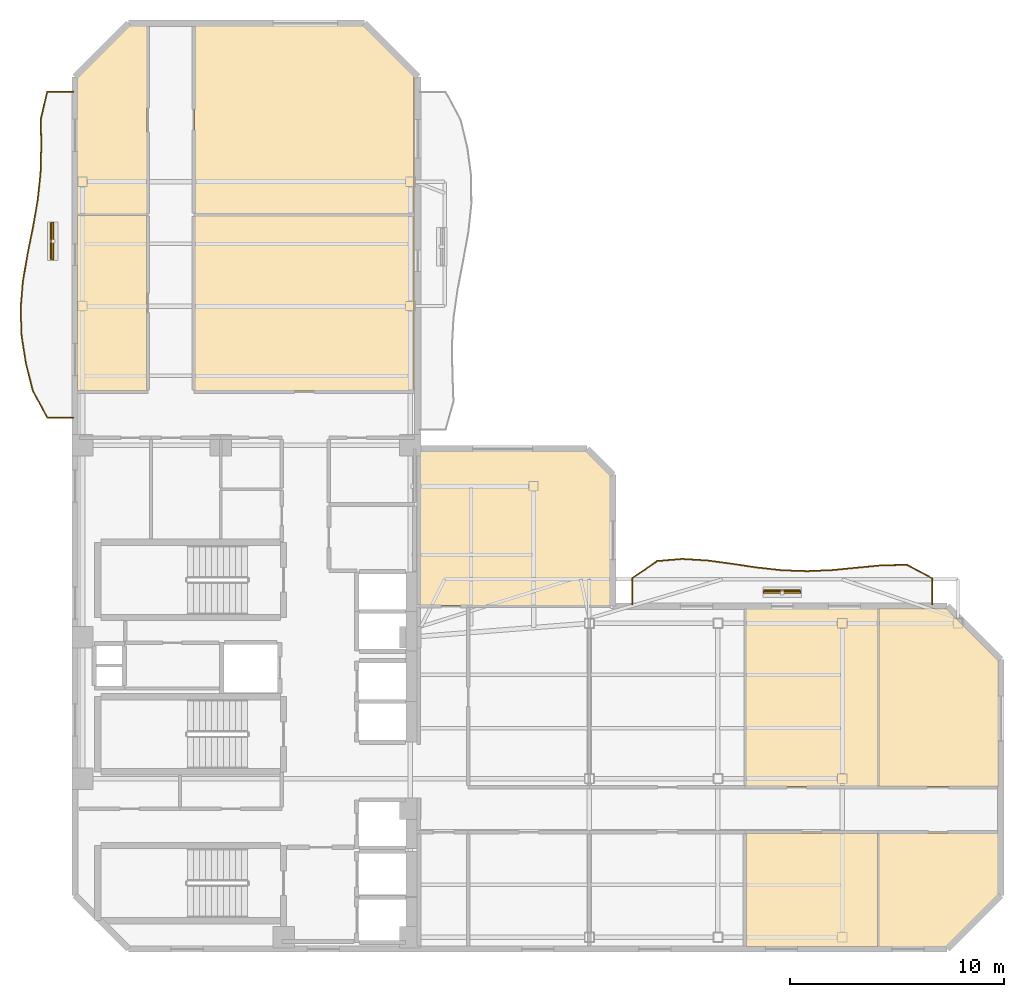
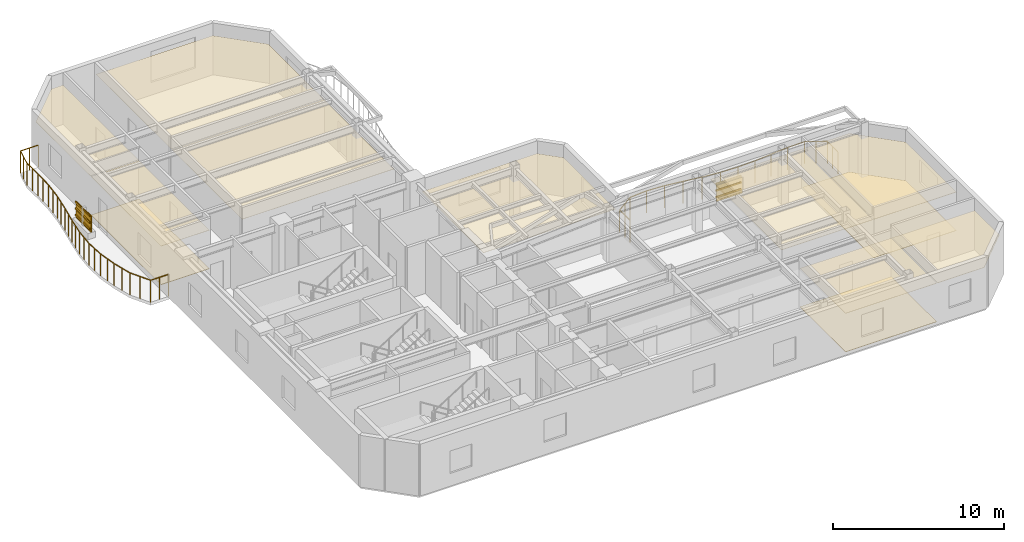
# One storey, part 8 of 9: 12 coverings, 8 shading devices, 2 railings.
"""IFC4 building model written with IfcOpenShell, lengths in metres."""

from ifc_helpers import new_model, si_unit, direction, frame, origin, origin_2d, place, context, subcontext, project, spatial, polyline, rectangle, outline, extrude, material, layer, layer_set, material_profile, profile_set, type_object, element, save


model = new_model("IFC4")

# Units and contexts
model_context = context("Model", 3, precision=1e-05, world=origin(), true_north=direction((0.0, 1.0)))
body_context = subcontext(model_context, "Body", "Model", "MODEL_VIEW")
ifc_project = project(units=[si_unit("LENGTHUNIT", "METRE"), si_unit("AREAUNIT", "SQUARE_METRE"), si_unit("VOLUMEUNIT", "CUBIC_METRE"), si_unit("PLANEANGLEUNIT", "RADIAN"), si_unit("MASSUNIT", "GRAM", prefix="KILO")], contexts=[model_context])

# Site, building, storey
site_placement = place(None, origin())
site = spatial("IfcSite", under=ifc_project, at=site_placement, CompositionType="ELEMENT")
building_placement = place(site_placement, origin())
building = spatial("IfcBuilding", under=site, at=building_placement, Name="Mawjaban Terraces University", CompositionType="ELEMENT")
storey_placement = place(building_placement, frame((0.0, 0.0, 203.10009765625)))
storey = spatial("IfcBuildingStorey", under=building, at=storey_placement, Name="L49", CompositionType="ELEMENT", Elevation=203.10009765625)

# Coverings
ifc_material_1 = material(Name="Acoustic mineral fibre ceiling tile", Category="masonry")
ifc_layer_1 = layer(ifc_material_1, 0.02001953125)
ifc_layer_set_1 = layer_set([ifc_layer_1], Name="Acoustic mineral fibre ceiling tile")
covering_type_1 = type_object("IfcCoveringType", Name="AcousticMineralCeiling_20", PredefinedType="CEILING", material=ifc_layer_set_1)
covering_1_placement = place(storey_placement, frame((0.0, 0.0, 2.75)))
element("IfcCovering", 1, at=covering_1_placement, inside=storey, type_object=covering_type_1, Name="L49 Reading Salon 6 Acoustic Ceiling", PredefinedType="CEILING", context=body_context, shape_type="SweptSolid", body=[
    extrude(outline(polyline([(53.302001953125, 0.114990234375), (59.455078125, 0.114990234375), (59.455078125, 5.419921875), (53.302001953125, 5.419921875), (53.302001953125, 0.114990234375)])), origin(), (0.0, 0.0, 1.0), 0.02001953125),
])
covering_2_placement = place(storey_placement, frame((0.0, 0.0, 2.75)))
element("IfcCovering", 2, at=covering_2_placement, inside=storey, type_object=covering_type_1, Name="L49 Academic Counseling Room 7 Acoustic Ceiling", PredefinedType="CEILING", context=body_context, shape_type="SweptSolid", body=[
    extrude(outline(polyline([(59.455078125, 15.885009765625), (53.302001953125, 15.885009765625), (53.302001953125, 7.580078125), (59.455078125, 7.580078125), (59.455078125, 15.885009765625)])), origin(), (0.0, 0.0, 1.0), 0.02001953125),
])
covering_3_placement = place(storey_placement, frame((0.0, 0.0, 2.75)))
element("IfcCovering", 3, at=covering_3_placement, inside=storey, type_object=covering_type_1, Name="L49 Academic Counseling Room 8 Acoustic Ceiling", PredefinedType="CEILING", context=body_context, shape_type="SweptSolid", body=[
    extrude(outline(polyline([(59.514892578125, 0.114990234375), (62.653076171875, 0.114990234375), (65.0849609375, 2.547119140625), (65.0849609375, 5.419921875), (59.514892578125, 5.419921875), (59.514892578125, 0.114990234375)])), origin(), (0.0, 0.0, 1.0), 0.02001953125),
])
covering_4_placement = place(storey_placement, frame((0.0, 0.0, 2.75)))
element("IfcCovering", 4, at=covering_4_placement, inside=storey, type_object=covering_type_1, Name="L49 Classroom 9 Acoustic Ceiling", PredefinedType="CEILING", context=body_context, shape_type="SweptSolid", body=[
    extrude(outline(polyline([(65.0849609375, 7.580078125), (65.0849609375, 13.452880859375), (62.653076171875, 15.885009765625), (59.514892578125, 15.885009765625), (59.514892578125, 7.580078125), (65.0849609375, 7.580078125)])), origin(), (0.0, 0.0, 1.0), 0.02001953125),
])
covering_5_placement = place(storey_placement, frame((0.0, 0.0, 2.75)))
element("IfcCovering", 5, at=covering_5_placement, inside=storey, type_object=covering_type_1, Name="L49 Seminar Room 10 Acoustic Ceiling", PredefinedType="CEILING", context=body_context, shape_type="SweptSolid", body=[
    extrude(outline(polyline([(22.114990234375, 34.22607421875), (22.114990234375, 26.030029296875), (25.3701171875, 26.030029296875), (25.3701171875, 34.22607421875), (22.114990234375, 34.22607421875)])), origin(), (0.0, 0.0, 1.0), 0.02001953125),
])
covering_6_placement = place(storey_placement, frame((0.0, 0.0, 2.75)))
element("IfcCovering", 6, at=covering_6_placement, inside=storey, type_object=covering_type_1, Name="L49 Faculty Office 11 Acoustic Ceiling", PredefinedType="CEILING", context=body_context, shape_type="SweptSolid", body=[
    extrude(outline(polyline([(37.820068359375, 26.030029296875), (37.820068359375, 34.22607421875), (27.580078125, 34.22607421875), (27.580078125, 26.030029296875), (37.820068359375, 26.030029296875)])), origin(), (0.0, 0.0, 1.0), 0.02001953125),
])
covering_7_placement = place(storey_placement, frame((0.0, 0.0, 2.75)))
element("IfcCovering", 7, at=covering_7_placement, inside=storey, type_object=covering_type_1, Name="L49 Teaching Laboratory 12 Acoustic Ceiling", PredefinedType="CEILING", context=body_context, shape_type="SweptSolid", body=[
    extrude(outline(polyline([(25.3701171875, 43.0849609375), (24.547119140625, 43.0849609375), (22.114990234375, 40.653076171875), (22.114990234375, 34.285888671875), (25.3701171875, 34.285888671875), (25.3701171875, 43.0849609375)])), origin(), (0.0, 0.0, 1.0), 0.02001953125),
])
covering_8_placement = place(storey_placement, frame((0.0, 0.0, 2.75)))
element("IfcCovering", 8, at=covering_8_placement, inside=storey, type_object=covering_type_1, Name="L49 Design Studio 13 Acoustic Ceiling", PredefinedType="CEILING", context=body_context, shape_type="SweptSolid", body=[
    extrude(outline(polyline([(37.820068359375, 40.718017578125), (35.452880859375, 43.0849609375), (27.580078125, 43.0849609375), (27.580078125, 34.285888671875), (37.820068359375, 34.285888671875), (37.820068359375, 40.718017578125)])), origin(), (0.0, 0.0, 1.0), 0.02001953125),
])
covering_9_placement = place(storey_placement, frame((0.0, 0.0, 2.75)))
element("IfcCovering", 9, at=covering_9_placement, inside=storey, type_object=covering_type_1, Name="L49 Terrace Collaborative Study Room Acoustic Ceiling", PredefinedType="CEILING", context=body_context, shape_type="SweptSolid", body=[
    extrude(outline(polyline([(46.985107421875, 16.030029296875), (46.985107421875, 22.087890625), (45.85302734375, 23.219970703125), (38.080078125, 23.219970703125), (38.080078125, 16.030029296875), (46.985107421875, 16.030029296875)])), origin(), (0.0, 0.0, 1.0), 0.02001953125),
])

# Railings
ifc_material_2 = material(Name="Galvanised powder-coated steel S355", Category="steel")
railing_type = type_object("IfcRailingType", Name="BalconyBalustrade_1600", PredefinedType="BALUSTRADE", material=ifc_material_2)
railing_1_placement = place(storey_placement, frame((21.919921875, 24.800048828125, 0.0)))
element("IfcRailing", 10, at=railing_1_placement, inside=storey, type_object=railing_type, Name="L49 Balcony Guardrail west", PredefinedType="BALUSTRADE", context=body_context, shape_type="SweptSolid", body=[
    extrude(rectangle(XDim=0.048095703125, YDim=0.048095703125, at=origin_2d()), frame((0.0, 0.0, 1.576171875), z_axis=(-1.0, 0.0, 0.0), x_axis=(0.0, -1.0, 0.0)), (0.0, 0.0, 1.0), 1.219970703125),
    extrude(rectangle(XDim=0.048095703125, YDim=0.048095703125, at=origin_2d()), frame((-1.219970703125, 0.0, 1.576171875), z_axis=(-0.470791190401, 0.882244668468, 0.0), x_axis=(-0.882244668468, -0.470791190401, 0.0)), (0.0, 0.0, 1.0), 1.43603515625),
    extrude(rectangle(XDim=0.048095703125, YDim=0.048095703125, at=origin_2d()), frame((-1.89599609375, 1.266845703125, 1.576171875), z_axis=(-0.244207163302, 0.969723084902, 0.0), x_axis=(-0.969723084902, -0.244207163302, 0.0)), (0.0, 0.0, 1.0), 1.3056640625),
    extrude(rectangle(XDim=0.048095703125, YDim=0.048095703125, at=origin_2d()), frame((-2.21484375, 2.532958984375, 1.576171875), z_axis=(-0.155131685366, 0.987893800059, 0.0), x_axis=(-0.987893800059, -0.155131685366, 0.0)), (0.0, 0.0, 1.0), 1.28271484375),
    extrude(rectangle(XDim=0.048095703125, YDim=0.048095703125, at=origin_2d()), frame((-2.413818359375, 3.800048828125, 1.576171875), z_axis=(-0.037937595246, 0.999280110313, 0.0), x_axis=(-0.999280110313, -0.037937595246, 0.0)), (0.0, 0.0, 1.0), 1.267822265625),
    extrude(rectangle(XDim=0.048095703125, YDim=0.048095703125, at=origin_2d()), frame((-2.4619140625, 5.06689453125, 1.576171875), z_axis=(0.081868487873, 0.996643141096, 0.0), x_axis=(-0.996643141096, 0.081868487873, 0.0)), (0.0, 0.0, 1.0), 1.270263671875),
    extrude(rectangle(XDim=0.048095703125, YDim=0.048095703125, at=origin_2d()), frame((-2.35791015625, 6.3330078125, 1.576171875), z_axis=(0.167386824685, 0.985891297721, 0.0), x_axis=(-0.985891297721, 0.167386824685, 0.0)), (0.0, 0.0, 1.0), 1.284912109375),
    extrude(rectangle(XDim=0.048095703125, YDim=0.048095703125, at=origin_2d()), frame((-2.142822265625, 7.599853515625, 1.576171875), z_axis=(0.197931820359, 0.980215789757, 0.0), x_axis=(-0.980215789757, 0.197931820359, 0.0)), (0.0, 0.0, 1.0), 1.292724609375),
    extrude(rectangle(XDim=0.048095703125, YDim=0.048095703125, at=origin_2d()), frame((-1.886962890625, 8.866943359375, 1.576171875), z_axis=(0.172647542263, 0.984983667961, 0.0), x_axis=(-0.984983667961, 0.172647542263, 0.0)), (0.0, 0.0, 1.0), 1.285400390625),
    extrude(rectangle(XDim=0.048095703125, YDim=0.048095703125, at=origin_2d()), frame((-1.6650390625, 10.133056640625, 1.576171875), z_axis=(0.105213501896, 0.994449656352, 0.0), x_axis=(-0.994449656352, 0.105213501896, 0.0)), (0.0, 0.0, 1.0), 1.27392578125),
    extrude(rectangle(XDim=0.048095703125, YDim=0.048095703125, at=origin_2d()), frame((-1.531005859375, 11.39990234375, 1.576171875), z_axis=(0.026195246822, 0.999656845645, 0.0), x_axis=(-0.999656845645, 0.026195246822, 0.0)), (0.0, 0.0, 1.0), 1.267578125),
    extrude(rectangle(XDim=0.048095703125, YDim=0.048095703125, at=origin_2d()), frame((-1.497802734375, 12.6669921875, 1.576171875), z_axis=(-0.015041692508, 0.999886867344, 0.0), x_axis=(-0.999886867344, -0.015041692508, 0.0)), (0.0, 0.0, 1.0), 1.26611328125),
    extrude(rectangle(XDim=0.048095703125, YDim=0.048095703125, at=origin_2d()), frame((-1.516845703125, 13.932861328125, 1.576171875), z_axis=(0.228119078942, 0.973633239892, 0.0), x_axis=(-0.973633239892, 0.228119078942, 0.0)), (0.0, 0.0, 1.0), 1.301513671875),
    extrude(rectangle(XDim=0.048095703125, YDim=0.048095703125, at=origin_2d()), frame((-1.219970703125, 15.199951171875, 1.576171875), z_axis=(1.0, 0.0, 0.0), x_axis=(0.0, 1.0, 0.0)), (0.0, 0.0, 1.0), 1.219970703125),
    extrude(rectangle(XDim=0.0419921875, YDim=0.0419921875, at=origin_2d()), origin(), (0.0, 0.0, 1.0), 1.552001953125),
    extrude(rectangle(XDim=0.0419921875, YDim=0.0419921875, at=origin_2d()), frame((-0.60986328125, 0.0, 0.0)), (0.0, 0.0, 1.0), 1.552001953125),
    extrude(rectangle(XDim=0.0419921875, YDim=0.0419921875, at=origin_2d()), frame((-1.219970703125, 0.0, 0.0)), (0.0, 0.0, 1.0), 1.552001953125),
    extrude(rectangle(XDim=0.0419921875, YDim=0.0419921875, at=origin_2d()), frame((-1.55810546875, 0.63330078125, 0.0)), (0.0, 0.0, 1.0), 1.552001953125),
    extrude(rectangle(XDim=0.0419921875, YDim=0.0419921875, at=origin_2d()), frame((-1.89599609375, 1.266845703125, 0.0)), (0.0, 0.0, 1.0), 1.552001953125),
    extrude(rectangle(XDim=0.0419921875, YDim=0.0419921875, at=origin_2d()), frame((-2.055419921875, 1.89990234375, 0.0)), (0.0, 0.0, 1.0), 1.552001953125),
    extrude(rectangle(XDim=0.0419921875, YDim=0.0419921875, at=origin_2d()), frame((-2.21484375, 2.532958984375, 0.0)), (0.0, 0.0, 1.0), 1.552001953125),
    extrude(rectangle(XDim=0.0419921875, YDim=0.0419921875, at=origin_2d()), frame((-2.314453125, 3.16650390625, 0.0)), (0.0, 0.0, 1.0), 1.552001953125),
    extrude(rectangle(XDim=0.0419921875, YDim=0.0419921875, at=origin_2d()), frame((-2.413818359375, 3.800048828125, 0.0)), (0.0, 0.0, 1.0), 1.552001953125),
    extrude(rectangle(XDim=0.0419921875, YDim=0.0419921875, at=origin_2d()), frame((-2.43798828125, 4.43359375, 0.0)), (0.0, 0.0, 1.0), 1.552001953125),
    extrude(rectangle(XDim=0.0419921875, YDim=0.0419921875, at=origin_2d()), frame((-2.4619140625, 5.06689453125, 0.0)), (0.0, 0.0, 1.0), 1.552001953125),
    extrude(rectangle(XDim=0.0419921875, YDim=0.0419921875, at=origin_2d()), frame((-2.409912109375, 5.699951171875, 0.0)), (0.0, 0.0, 1.0), 1.552001953125),
    extrude(rectangle(XDim=0.0419921875, YDim=0.0419921875, at=origin_2d()), frame((-2.35791015625, 6.3330078125, 0.0)), (0.0, 0.0, 1.0), 1.552001953125),
    extrude(rectangle(XDim=0.0419921875, YDim=0.0419921875, at=origin_2d()), frame((-2.25048828125, 6.96630859375, 0.0)), (0.0, 0.0, 1.0), 1.552001953125),
    extrude(rectangle(XDim=0.0419921875, YDim=0.0419921875, at=origin_2d()), frame((-2.142822265625, 7.599853515625, 0.0)), (0.0, 0.0, 1.0), 1.552001953125),
    extrude(rectangle(XDim=0.0419921875, YDim=0.0419921875, at=origin_2d()), frame((-2.014892578125, 8.2333984375, 0.0)), (0.0, 0.0, 1.0), 1.552001953125),
    extrude(rectangle(XDim=0.0419921875, YDim=0.0419921875, at=origin_2d()), frame((-1.886962890625, 8.866943359375, 0.0)), (0.0, 0.0, 1.0), 1.552001953125),
    extrude(rectangle(XDim=0.0419921875, YDim=0.0419921875, at=origin_2d()), frame((-1.77587890625, 9.5, 0.0)), (0.0, 0.0, 1.0), 1.552001953125),
    extrude(rectangle(XDim=0.0419921875, YDim=0.0419921875, at=origin_2d()), frame((-1.6650390625, 10.133056640625, 0.0)), (0.0, 0.0, 1.0), 1.552001953125),
    extrude(rectangle(XDim=0.0419921875, YDim=0.0419921875, at=origin_2d()), frame((-1.59814453125, 10.7666015625, 0.0)), (0.0, 0.0, 1.0), 1.552001953125),
    extrude(rectangle(XDim=0.0419921875, YDim=0.0419921875, at=origin_2d()), frame((-1.531005859375, 11.39990234375, 0.0)), (0.0, 0.0, 1.0), 1.552001953125),
    extrude(rectangle(XDim=0.0419921875, YDim=0.0419921875, at=origin_2d()), frame((-1.514404296875, 12.033447265625, 0.0)), (0.0, 0.0, 1.0), 1.552001953125),
    extrude(rectangle(XDim=0.0419921875, YDim=0.0419921875, at=origin_2d()), frame((-1.497802734375, 12.6669921875, 0.0)), (0.0, 0.0, 1.0), 1.552001953125),
    extrude(rectangle(XDim=0.0419921875, YDim=0.0419921875, at=origin_2d()), frame((-1.50732421875, 13.2998046875, 0.0)), (0.0, 0.0, 1.0), 1.552001953125),
    extrude(rectangle(XDim=0.0419921875, YDim=0.0419921875, at=origin_2d()), frame((-1.516845703125, 13.932861328125, 0.0)), (0.0, 0.0, 1.0), 1.552001953125),
    extrude(rectangle(XDim=0.0419921875, YDim=0.0419921875, at=origin_2d()), frame((-1.368408203125, 14.56640625, 0.0)), (0.0, 0.0, 1.0), 1.552001953125),
    extrude(rectangle(XDim=0.0419921875, YDim=0.0419921875, at=origin_2d()), frame((-1.219970703125, 15.199951171875, 0.0)), (0.0, 0.0, 1.0), 1.552001953125),
    extrude(rectangle(XDim=0.0419921875, YDim=0.0419921875, at=origin_2d()), frame((-0.60986328125, 15.199951171875, 0.0)), (0.0, 0.0, 1.0), 1.552001953125),
    extrude(rectangle(XDim=0.0419921875, YDim=0.0419921875, at=origin_2d()), frame((0.0, 15.199951171875, 0.0)), (0.0, 0.0, 1.0), 1.552001953125),
])
railing_2_placement = place(storey_placement, frame((48.0, 16.080078125, 0.0)))
element("IfcRailing", 11, at=railing_2_placement, inside=storey, type_object=railing_type, Name="L49 Balcony Guardrail inner_north", PredefinedType="BALUSTRADE", context=body_context, shape_type="SweptSolid", body=[
    extrude(rectangle(XDim=0.048095703125, YDim=0.048095703125, at=origin_2d()), frame((0.0, 0.0, 1.576171875), z_axis=(0.0, 1.0, 0.0), x_axis=(-1.0, 0.0, 0.0)), (0.0, 0.0, 1.0), 1.219970703125),
    extrude(rectangle(XDim=0.048095703125, YDim=0.048095703125, at=origin_2d()), frame((0.0, 1.219970703125, 1.576171875), z_axis=(0.821888767013, 0.569648009438, 0.0), x_axis=(-0.569648009438, 0.821888767013, 0.0)), (0.0, 0.0, 1.0), 1.419921875),
    extrude(rectangle(XDim=0.048095703125, YDim=0.048095703125, at=origin_2d()), frame((1.1669921875, 2.02880859375, 1.576171875), z_axis=(0.996682543321, 0.081387393613, 0.0), x_axis=(-0.081387393613, 0.996682543321, 0.0)), (0.0, 0.0, 1.0), 1.169921875),
    extrude(rectangle(XDim=0.048095703125, YDim=0.048095703125, at=origin_2d()), frame((2.3330078125, 2.1240234375, 1.576171875), z_axis=(0.998251976832, -0.059101529172, 0.0), x_axis=(0.059101529172, 0.998251976832, 0.0)), (0.0, 0.0, 1.0), 1.1689453125),
    extrude(rectangle(XDim=0.048095703125, YDim=0.048095703125, at=origin_2d()), frame((3.5, 2.054931640625, 1.576171875), z_axis=(0.9910733098, -0.133318020544, 0.0), x_axis=(0.133318020544, 0.9910733098, 0.0)), (0.0, 0.0, 1.0), 1.177490234375),
    extrude(rectangle(XDim=0.048095703125, YDim=0.048095703125, at=origin_2d()), frame((4.6669921875, 1.89794921875, 1.576171875), z_axis=(0.989039402624, -0.147651820367, 0.0), x_axis=(0.147651820367, 0.989039402624, 0.0)), (0.0, 0.0, 1.0), 1.178955078125),
    extrude(rectangle(XDim=0.048095703125, YDim=0.048095703125, at=origin_2d()), frame((5.8330078125, 1.723876953125, 1.576171875), z_axis=(0.994044970777, -0.108970620227, 0.0), x_axis=(0.108970620227, 0.994044970777, 0.0)), (0.0, 0.0, 1.0), 1.174072265625),
    extrude(rectangle(XDim=0.048095703125, YDim=0.048095703125, at=origin_2d()), frame((7.0, 1.595947265625, 1.576171875), z_axis=(0.999382935378, -0.035124755888, 0.0), x_axis=(0.035124755888, 0.999382935378, 0.0)), (0.0, 0.0, 1.0), 1.167724609375),
    extrude(rectangle(XDim=0.048095703125, YDim=0.048095703125, at=origin_2d()), frame((8.1669921875, 1.554931640625, 1.576171875), z_axis=(0.999080081199, 0.042883462447, 0.0), x_axis=(-0.042883462447, 0.999080081199, 0.0)), (0.0, 0.0, 1.0), 1.1669921875),
    extrude(rectangle(XDim=0.048095703125, YDim=0.048095703125, at=origin_2d()), frame((9.3330078125, 1.60498046875, 1.576171875), z_axis=(0.995341637643, 0.096410706742, 0.0), x_axis=(-0.096410706742, 0.995341637643, 0.0)), (0.0, 0.0, 1.0), 1.17236328125),
    extrude(rectangle(XDim=0.048095703125, YDim=0.048095703125, at=origin_2d()), frame((10.5, 1.718017578125, 1.576171875), z_axis=(0.995441023687, 0.095379077165, 0.0), x_axis=(-0.095379077165, 0.995441023687, 0.0)), (0.0, 0.0, 1.0), 1.17236328125),
    extrude(rectangle(XDim=0.048095703125, YDim=0.048095703125, at=origin_2d()), frame((11.6669921875, 1.829833984375, 1.576171875), z_axis=(0.999892609099, 0.014655042428, 0.0), x_axis=(-0.014655042428, 0.999892609099, 0.0)), (0.0, 0.0, 1.0), 1.166259765625),
    extrude(rectangle(XDim=0.048095703125, YDim=0.048095703125, at=origin_2d()), frame((12.8330078125, 1.846923828125, 1.576171875), z_axis=(0.880920446262, -0.47326437364, 0.0), x_axis=(0.47326437364, 0.880920446262, 0.0)), (0.0, 0.0, 1.0), 1.32470703125),
    extrude(rectangle(XDim=0.048095703125, YDim=0.048095703125, at=origin_2d()), frame((14.0, 1.219970703125, 1.576171875), z_axis=(0.0, -1.0, 0.0), x_axis=(1.0, 0.0, 0.0)), (0.0, 0.0, 1.0), 1.219970703125),
    extrude(rectangle(XDim=0.0419921875, YDim=0.0419921875, at=origin_2d()), origin(), (0.0, 0.0, 1.0), 1.552001953125),
    extrude(rectangle(XDim=0.0419921875, YDim=0.0419921875, at=origin_2d()), frame((0.0, 0.60986328125, 0.0)), (0.0, 0.0, 1.0), 1.552001953125),
    extrude(rectangle(XDim=0.0419921875, YDim=0.0419921875, at=origin_2d()), frame((0.0, 1.219970703125, 0.0)), (0.0, 0.0, 1.0), 1.552001953125),
    extrude(rectangle(XDim=0.0419921875, YDim=0.0419921875, at=origin_2d()), frame((0.58349609375, 1.62451171875, 0.0)), (0.0, 0.0, 1.0), 1.552001953125),
    extrude(rectangle(XDim=0.0419921875, YDim=0.0419921875, at=origin_2d()), frame((1.1669921875, 2.02880859375, 0.0)), (0.0, 0.0, 1.0), 1.552001953125),
    extrude(rectangle(XDim=0.0419921875, YDim=0.0419921875, at=origin_2d()), frame((2.3330078125, 2.1240234375, 0.0)), (0.0, 0.0, 1.0), 1.552001953125),
    extrude(rectangle(XDim=0.0419921875, YDim=0.0419921875, at=origin_2d()), frame((3.5, 2.054931640625, 0.0)), (0.0, 0.0, 1.0), 1.552001953125),
    extrude(rectangle(XDim=0.0419921875, YDim=0.0419921875, at=origin_2d()), frame((4.6669921875, 1.89794921875, 0.0)), (0.0, 0.0, 1.0), 1.552001953125),
    extrude(rectangle(XDim=0.0419921875, YDim=0.0419921875, at=origin_2d()), frame((5.8330078125, 1.723876953125, 0.0)), (0.0, 0.0, 1.0), 1.552001953125),
    extrude(rectangle(XDim=0.0419921875, YDim=0.0419921875, at=origin_2d()), frame((7.0, 1.595947265625, 0.0)), (0.0, 0.0, 1.0), 1.552001953125),
    extrude(rectangle(XDim=0.0419921875, YDim=0.0419921875, at=origin_2d()), frame((8.1669921875, 1.554931640625, 0.0)), (0.0, 0.0, 1.0), 1.552001953125),
    extrude(rectangle(XDim=0.0419921875, YDim=0.0419921875, at=origin_2d()), frame((9.3330078125, 1.60498046875, 0.0)), (0.0, 0.0, 1.0), 1.552001953125),
    extrude(rectangle(XDim=0.0419921875, YDim=0.0419921875, at=origin_2d()), frame((10.5, 1.718017578125, 0.0)), (0.0, 0.0, 1.0), 1.552001953125),
    extrude(rectangle(XDim=0.0419921875, YDim=0.0419921875, at=origin_2d()), frame((11.6669921875, 1.829833984375, 0.0)), (0.0, 0.0, 1.0), 1.552001953125),
    extrude(rectangle(XDim=0.0419921875, YDim=0.0419921875, at=origin_2d()), frame((12.8330078125, 1.846923828125, 0.0)), (0.0, 0.0, 1.0), 1.552001953125),
    extrude(rectangle(XDim=0.0419921875, YDim=0.0419921875, at=origin_2d()), frame((13.41650390625, 1.533447265625, 0.0)), (0.0, 0.0, 1.0), 1.552001953125),
    extrude(rectangle(XDim=0.0419921875, YDim=0.0419921875, at=origin_2d()), frame((14.0, 1.219970703125, 0.0)), (0.0, 0.0, 1.0), 1.552001953125),
    extrude(rectangle(XDim=0.0419921875, YDim=0.0419921875, at=origin_2d()), frame((14.0, 0.60986328125, 0.0)), (0.0, 0.0, 1.0), 1.552001953125),
    extrude(rectangle(XDim=0.0419921875, YDim=0.0419921875, at=origin_2d()), frame((14.0, 0.0, 0.0)), (0.0, 0.0, 1.0), 1.552001953125),
])

# Shading devices
ifc_material_3 = material(Name="Glazed architectural terracotta ceramic", Category="masonry")
ifc_material_profile = material_profile(ifc_material_3, rectangle(XDim=0.06494140625, YDim=0.110107421875, at=origin_2d()), Name="TBAG110X65")
ifc_profile_set = profile_set([ifc_material_profile], Name="Glazed architectural terracotta ceramic")
shading_device_type_1 = type_object("IfcShadingDeviceType", Name="TerracottaBaguette_110x65", PredefinedType="USERDEFINED", material=ifc_profile_set)
for number, where, z_axis, x_axis, name in (
    (12, (20.873046875, 32.18408203125, 0.679931640625), (0.0, 1.0, 0.0), (-1.0, 0.0, 0.0), "L49 Horizontal Terracotta Baguette west.1"),
    (13, (20.873046875, 32.18408203125, 1.14990234375), (0.0, 1.0, 0.0), (-1.0, 0.0, 0.0), "L49 Horizontal Terracotta Baguette west.2"),
    (14, (20.873046875, 32.18408203125, 1.619873046875), (0.0, 1.0, 0.0), (-1.0, 0.0, 0.0), "L49 Horizontal Terracotta Baguette west.3"),
):
    element("IfcShadingDevice", number, at=place(storey_placement, frame(where, z_axis=z_axis, x_axis=x_axis)), inside=storey, type_object=shading_device_type_1, Name=name, ObjectType="BAGUETTE", PredefinedType="USERDEFINED", context=body_context, shape_type="SweptSolid", body=[
        extrude(rectangle(XDim=0.06494140625, YDim=0.110107421875, at=origin_2d()), origin(), (0.0, 0.0, 1.0), 1.699951171875),
    ])
for number, where, z_axis, x_axis, name in (
    (15, (54.14990234375, 16.72998046875, 0.679931640625), (1.0, 0.0, 0.0), (0.0, 1.0, 0.0), "L49 Horizontal Terracotta Baguette inner_north.1"),
    (16, (54.14990234375, 16.72998046875, 1.14990234375), (1.0, 0.0, 0.0), (0.0, 1.0, 0.0), "L49 Horizontal Terracotta Baguette inner_north.2"),
    (17, (54.14990234375, 16.72998046875, 1.619873046875), (1.0, 0.0, 0.0), (0.0, 1.0, 0.0), "L49 Horizontal Terracotta Baguette inner_north.3"),
):
    element("IfcShadingDevice", number, at=place(storey_placement, frame(where, z_axis=z_axis, x_axis=x_axis)), inside=storey, type_object=shading_device_type_1, Name=name, ObjectType="BAGUETTE", PredefinedType="USERDEFINED", context=body_context, shape_type="SweptSolid", body=[
        extrude(rectangle(XDim=0.06494140625, YDim=0.110107421875, at=origin_2d()), origin(), (0.0, 0.0, 1.0), 1.7001953125),
    ])
ifc_layer_2 = layer(ifc_material_3, 0.080078125)
ifc_layer_set_2 = layer_set([ifc_layer_2], Name="Glazed architectural terracotta ceramic")
shading_device_type_2 = type_object("IfcShadingDeviceType", Name="TerracottaScreen_Perforated", PredefinedType="USERDEFINED", material=ifc_layer_set_2)
for number, where, z_axis, x_axis, name in (
    (18, (20.9580078125, 33.033935546875, 0.43994140625), (0.0, 0.0, 1.0), (0.0, 1.0, 0.0), "L49 Balcony Perforated Terracotta Screen west"),
    (19, (55.0, 16.64501953125, 0.43994140625), (0.0, 0.0, 1.0), (1.0, 0.0, 0.0), "L49 Balcony Perforated Terracotta Screen inner_north"),
):
    element("IfcShadingDevice", number, at=place(storey_placement, frame(where, z_axis=z_axis, x_axis=x_axis)), inside=storey, type_object=shading_device_type_2, Name=name, ObjectType="SCREEN", PredefinedType="USERDEFINED", context=body_context, shape_type="SweptSolid", body=[
        extrude(rectangle(XDim=1.75, YDim=0.080078125, at=origin_2d()), origin(), (0.0, 0.0, 1.0), 1.14990234375),
    ])

# Coverings
ifc_material_4 = material(Name="Polished Hijazi granite terrazzo flooring", Category="masonry")
ifc_layer_3 = layer(ifc_material_4, 0.02490234375)
ifc_layer_set_3 = layer_set([ifc_layer_3], Name="Polished Hijazi granite terrazzo flooring")
covering_type_2 = type_object("IfcCoveringType", Name="TerrazzoConcourseFlooring_25", PredefinedType="FLOORING", material=ifc_layer_set_3)
covering_10_placement = place(storey_placement, origin())
element("IfcCovering", 20, at=covering_10_placement, inside=storey, type_object=covering_type_2, Name="L49 Reading Salon 6 Terrazzo Flooring", PredefinedType="FLOORING", context=body_context, shape_type="SweptSolid", body=[
    extrude(outline(polyline([(53.302001953125, 0.114990234375), (59.455078125, 0.114990234375), (59.455078125, 5.419921875), (53.302001953125, 5.419921875), (53.302001953125, 0.114990234375)])), origin(), (0.0, 0.0, 1.0), 0.02490234375),
])
covering_11_placement = place(storey_placement, origin())
element("IfcCovering", 21, at=covering_11_placement, inside=storey, type_object=covering_type_2, Name="L49 Classroom 9 Terrazzo Flooring", PredefinedType="FLOORING", context=body_context, shape_type="SweptSolid", body=[
    extrude(outline(polyline([(65.0849609375, 7.580078125), (65.0849609375, 13.452880859375), (62.653076171875, 15.885009765625), (59.514892578125, 15.885009765625), (59.514892578125, 7.580078125), (65.0849609375, 7.580078125)])), origin(), (0.0, 0.0, 1.0), 0.02490234375),
])
covering_12_placement = place(storey_placement, origin())
element("IfcCovering", 22, at=covering_12_placement, inside=storey, type_object=covering_type_2, Name="L49 Seminar Room 10 Terrazzo Flooring", PredefinedType="FLOORING", context=body_context, shape_type="SweptSolid", body=[
    extrude(outline(polyline([(22.114990234375, 34.22607421875), (22.114990234375, 26.030029296875), (25.3701171875, 26.030029296875), (25.3701171875, 34.22607421875), (22.114990234375, 34.22607421875)])), origin(), (0.0, 0.0, 1.0), 0.02490234375),
])

save(model, "model.ifc")
